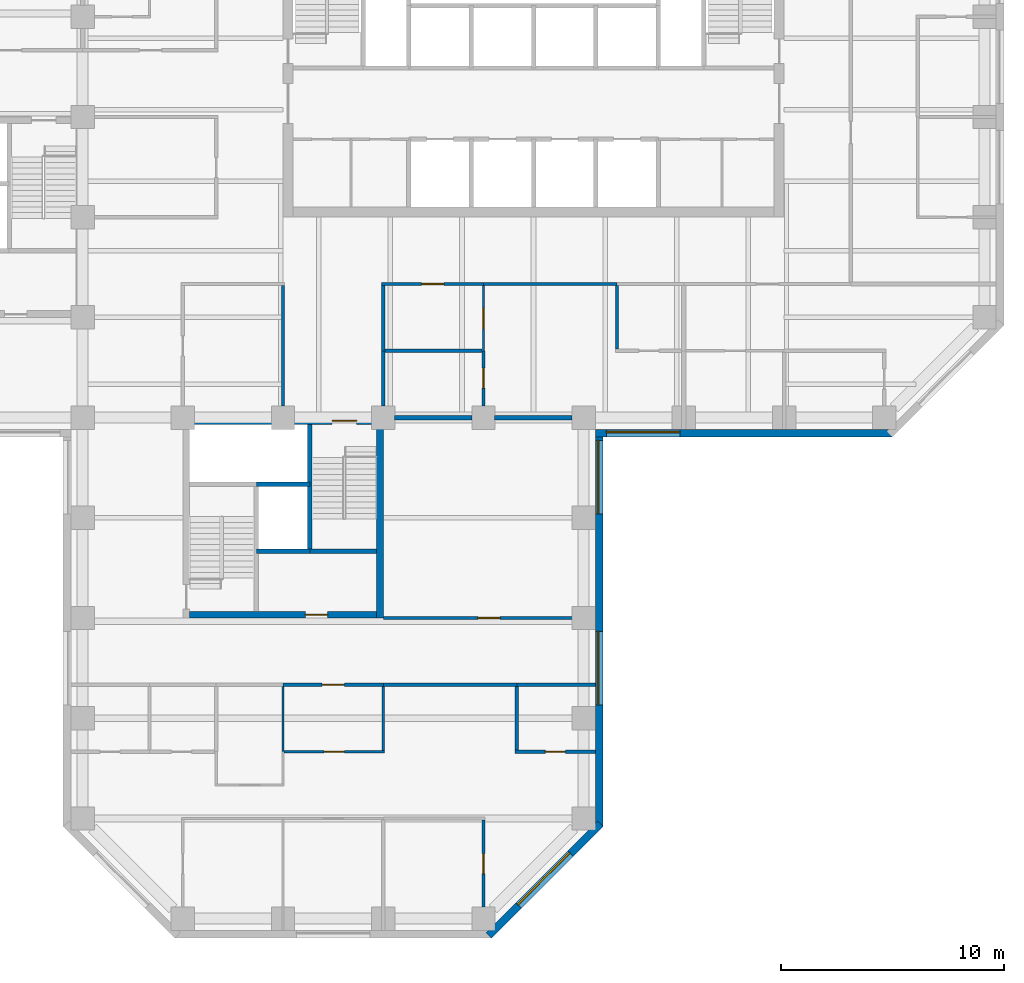
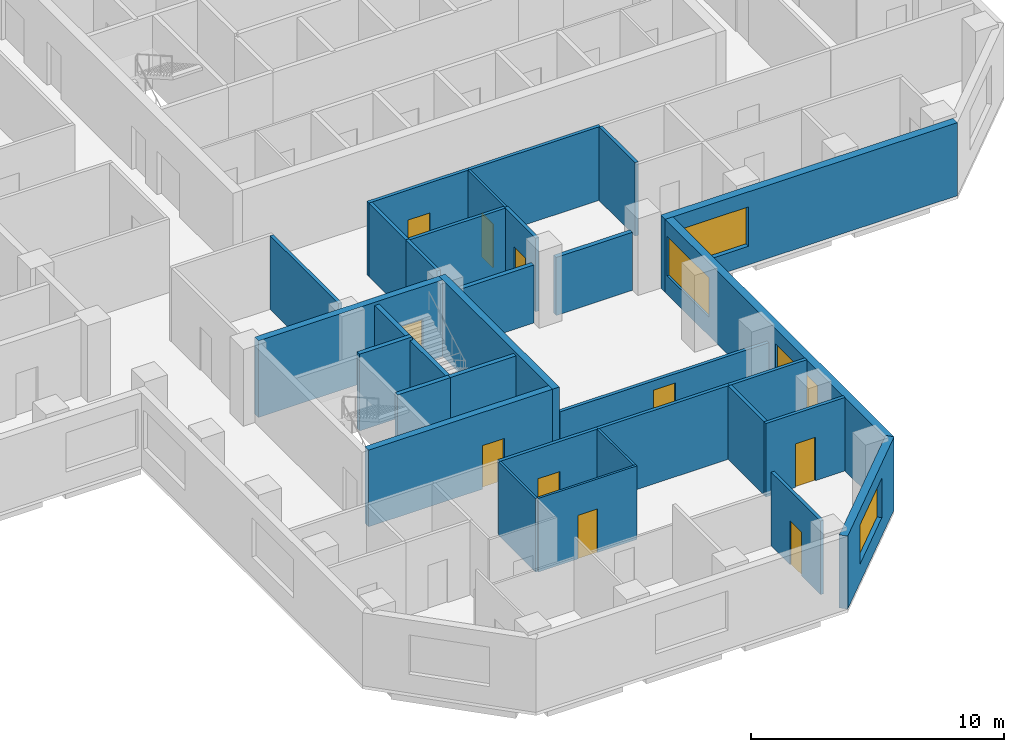
# One storey, part 4 of 11: 31 walls, 10 doors, 4 windows, 14 openings.
"""IFC4 building model written with IfcOpenShell, lengths in metres."""

from ifc_helpers import new_model, si_unit, direction, frame, frame_2d, origin, place, context, subcontext, project, spatial, rectangle, extrude, material, layer, layer_set, constituent, constituent_set, type_object, element, fill, save


model = new_model("IFC4")

# Units and contexts
model_context = context("Model", 3, precision=1e-05, world=origin(), true_north=direction((0.0, 1.0)))
body_context = subcontext(model_context, "Body", "Model", "MODEL_VIEW")
ifc_project = project(units=[si_unit("LENGTHUNIT", "METRE"), si_unit("AREAUNIT", "SQUARE_METRE"), si_unit("VOLUMEUNIT", "CUBIC_METRE"), si_unit("PLANEANGLEUNIT", "RADIAN"), si_unit("MASSUNIT", "GRAM", prefix="KILO")], contexts=[model_context])

# Site, building, storey
site_placement = place(None, origin())
site = spatial("IfcSite", under=ifc_project, at=site_placement, CompositionType="ELEMENT")
building_placement = place(site_placement, origin())
building = spatial("IfcBuilding", under=site, at=building_placement, Name="Quoin Convention Tower", CompositionType="ELEMENT")
storey_placement = place(building_placement, frame((0.0, 0.0, 130.699951171875)))
storey = spatial("IfcBuildingStorey", under=building, at=storey_placement, Name="L34", CompositionType="ELEMENT", Elevation=130.699951171875)

# Wall
ifc_material_1 = material(Name="Plasterboard")
ifc_layer_1 = layer(ifc_material_1, 0.012451171875, Name="Finish")
ifc_material_2 = material(Name="Steel stud framing", Category="steel")
ifc_layer_2 = layer(ifc_material_2, 0.125, Name="Structure")
ifc_layer_3 = layer(ifc_material_1, 0.012451171875, Name="Finish")
ifc_layer_set_1 = layer_set([ifc_layer_1, ifc_layer_2, ifc_layer_3], Name="Steel stud framing")
wall_type_1 = type_object("IfcWallType", Name="Acoustic partition 150", PredefinedType="PARTITIONING", material=ifc_layer_set_1)
wall_1_placement = place(storey_placement, frame((49.574951171875, 43.5, 0.0), z_axis=(0.0, 0.0, 1.0), x_axis=(1.0, 0.0, 0.0)))
element("IfcWall", 1, at=wall_1_placement, inside=storey, type_object=wall_type_1, Name="pw-L34-019", PredefinedType="PARTITIONING", context=body_context, shape_type="SweptSolid", body=[
    extrude(rectangle(XDim=4.35009765625, YDim=0.14990234375, at=frame_2d((2.175048828125, 0.0))), origin(), (0.0, 0.0, 1.0), 3.550048828125),
])

# Wall, opening, door
wall_2_placement = place(storey_placement, frame((54.0, 18.52490234375, 0.0), z_axis=(0.0, 0.0, 1.0), x_axis=(0.0, 1.0, 0.0)))
wall_2 = element("IfcWall", 2, at=wall_2_placement, inside=storey, type_object=wall_type_1, Name="pw-L34-061", PredefinedType="PARTITIONING", context=body_context, shape_type="SweptSolid", body=[
    extrude(rectangle(XDim=3.900146484375, YDim=0.14990234375, at=frame_2d((1.9501953125, 0.0))), origin(), (0.0, 0.0, 1.0), 3.550048828125),
])
opening_1_placement = place(wall_2_placement, frame((1.5, 0.0, 0.0)))
opening_1 = element("IfcOpeningElement", 3, at=opening_1_placement, cuts=wall_2, Name="Opening DOL7-26", PredefinedType="OPENING", context=body_context, shape_type="SweptSolid", body=[
    extrude(rectangle(XDim=0.89990234375, YDim=2.10009765625, at=frame_2d((0.449951171875, 1.050048828125))), frame((0.0, 0.0849609375, 0.0), z_axis=(0.0, -1.0, 0.0), x_axis=(1.0, 0.0, 0.0)), (0.0, 0.0, 1.0), 0.169921875),
])
ifc_material_3 = material(Name="Steel door leaf", Category="steel")
door_type_1 = type_object("IfcDoorType", Name="Office door 900 x 2100", OperationType="SINGLE_SWING_RIGHT", PredefinedType="DOOR", material=ifc_material_3)
door_1_placement = place(opening_1_placement, frame((0.89990234375, 0.0, 0.0), z_axis=(0.0, 0.0, 1.0), x_axis=(-1.0, 0.0, 0.0)))
door_1 = element("IfcDoor", 4, at=door_1_placement, inside=storey, type_object=door_type_1, Name="dr-L34-14", OperationType="SINGLE_SWING_LEFT", OverallHeight=2.10009765625, OverallWidth=0.89990234375, PredefinedType="DOOR", context=body_context, shape_type="SweptSolid", body=[
    extrude(rectangle(XDim=0.89990234375, YDim=2.10009765625, at=frame_2d((0.449951171875, 1.050048828125))), frame((0.0, 0.02490234375, 0.0), z_axis=(0.0, -1.0, 0.0), x_axis=(1.0, 0.0, 0.0)), (0.0, 0.0, 1.0), 0.050048828125),
])
fill(opening_1, door_1)

wall_3_placement = place(storey_placement, frame((54.0, 41.02490234375, 0.0), z_axis=(0.0, 0.0, 1.0), x_axis=(0.0, 1.0, 0.0)))
wall_3 = element("IfcWall", 5, at=wall_3_placement, inside=storey, type_object=wall_type_1, Name="pw-L34-076", PredefinedType="PARTITIONING", context=body_context, shape_type="SweptSolid", body=[
    extrude(rectangle(XDim=2.47509765625, YDim=0.14990234375, at=frame_2d((1.237548828125, 0.0))), origin(), (0.0, 0.0, 1.0), 3.550048828125),
])
opening_2_placement = place(wall_3_placement, frame((0.800048828125, 0.0, 0.0)))
opening_2 = element("IfcOpeningElement", 6, at=opening_2_placement, cuts=wall_3, Name="Opening DOL7-28", PredefinedType="OPENING", context=body_context, shape_type="SweptSolid", body=[
    extrude(rectangle(XDim=0.89990234375, YDim=2.10009765625, at=frame_2d((0.449951171875, 1.050048828125))), frame((0.0, 0.0849609375, 0.0), z_axis=(0.0, -1.0, 0.0), x_axis=(1.0, 0.0, 0.0)), (0.0, 0.0, 1.0), 0.169921875),
])
door_2_placement = place(opening_2_placement, frame((0.89990234375, 0.0, 0.0), z_axis=(0.0, 0.0, 1.0), x_axis=(-1.0, 0.0, 0.0)))
door_2 = element("IfcDoor", 7, at=door_2_placement, inside=storey, type_object=door_type_1, Name="dr-L34-21", OperationType="SINGLE_SWING_LEFT", OverallHeight=2.10009765625, OverallWidth=0.89990234375, PredefinedType="DOOR", context=body_context, shape_type="SweptSolid", body=[
    extrude(rectangle(XDim=0.89990234375, YDim=2.10009765625, at=frame_2d((0.449951171875, 1.050048828125))), frame((0.0, 0.02490234375, 0.0), z_axis=(0.0, -1.0, 0.0), x_axis=(1.0, 0.0, 0.0)), (0.0, 0.0, 1.0), 0.050048828125),
])
fill(opening_2, door_2)

# Wall, opening, window
ifc_material_4 = material(Name="Brick masonry", Category="masonry")
ifc_layer_4 = layer(ifc_material_4, 0.35009765625)
ifc_layer_set_2 = layer_set([ifc_layer_4], Name="Brick masonry")
wall_type_2 = type_object("IfcWallType", Name="Brick facade wall", PredefinedType="STANDARD", material=ifc_layer_set_2)
wall_4_placement = place(storey_placement, frame((59.02490234375, 39.800048828125, 0.0), z_axis=(0.0, 0.0, 1.0), x_axis=(1.0, 0.0, 0.0)))
wall_4 = element("IfcWall", 8, at=wall_4_placement, inside=storey, type_object=wall_type_2, Name="fw-L34-58500_40500", PredefinedType="STANDARD", context=body_context, shape_type="SweptSolid", body=[
    extrude(rectangle(XDim=13.33740234375, YDim=0.35009765625, at=frame_2d((6.668701171875, 0.0))), origin(), (0.0, 0.0, 1.0), 3.525146484375),
])
opening_3_placement = place(wall_4_placement, frame((0.5, 0.0, 0.89990234375)))
opening_3 = element("IfcOpeningElement", 9, at=opening_3_placement, cuts=wall_4, Name="Opening W-02", PredefinedType="OPENING", context=body_context, shape_type="SweptSolid", body=[
    extrude(rectangle(XDim=3.300048828125, YDim=1.89990234375, at=frame_2d((1.64990234375, 0.949951171875))), frame((0.0, 0.18505859375, 0.0), z_axis=(0.0, -1.0, 0.0), x_axis=(1.0, 0.0, 0.0)), (0.0, 0.0, 1.0), 0.3701171875),
])
ifc_material_5 = material(Name="Aluminium", Category="aluminium")
ifc_constituent_1 = constituent(ifc_material_5, Name="Frame")
ifc_material_6 = material(Name="Insulated glass", Category="glass")
ifc_constituent_2 = constituent(ifc_material_6, Name="Glazing")
ifc_constituent_set = constituent_set(constituents=[ifc_constituent_1, ifc_constituent_2], Name="Aluminium")
window_type = type_object("IfcWindowType", Name="Office window", PartitioningType="DOUBLE_PANEL_VERTICAL", PredefinedType="WINDOW", material=ifc_constituent_set)
window_1_placement = place(opening_3_placement, origin())
window_1 = element("IfcWindow", 10, at=window_1_placement, inside=storey, type_object=window_type, Name="win-L34-60750_39800", OverallHeight=1.89990234375, OverallWidth=3.300048828125, PartitioningType="SINGLE_PANEL", PredefinedType="WINDOW", context=body_context, shape_type="SweptSolid", body=[
    extrude(rectangle(XDim=3.300048828125, YDim=1.89990234375, at=frame_2d((1.64990234375, 0.949951171875))), frame((0.0, 0.0849609375, 0.0), z_axis=(0.0, -1.0, 0.0), x_axis=(1.0, 0.0, 0.0)), (0.0, 0.0, 1.0), 0.06005859375),
])
fill(opening_3, window_1)

wall_5_placement = place(storey_placement, frame((54.23876953125, 17.248779296875, 0.0), z_axis=(0.0, 0.0, 1.0), x_axis=(0.707106781187, 0.707106781187, 0.0)))
wall_5 = element("IfcWall", 11, at=wall_5_placement, inside=storey, type_object=wall_type_2, Name="fw-L34-54000_18000", PredefinedType="STANDARD", context=body_context, shape_type="SweptSolid", body=[
    extrude(rectangle(XDim=7.088623046875, YDim=0.35009765625, at=frame_2d((3.54443359375, 0.0))), origin(), (0.0, 0.0, 1.0), 3.525146484375),
])
opening_4_placement = place(wall_5_placement, frame((1.894287109375, 0.0, 0.89990234375)))
opening_4 = element("IfcOpeningElement", 12, at=opening_4_placement, cuts=wall_5, Name="Opening W-02", PredefinedType="OPENING", context=body_context, shape_type="SweptSolid", body=[
    extrude(rectangle(XDim=3.300048828125, YDim=1.89990234375, at=frame_2d((1.64990234375, 0.949951171875))), frame((0.0, 0.18505859375, 0.0), z_axis=(0.0, -1.0, 0.0), x_axis=(1.0, 0.0, 0.0)), (0.0, 0.0, 1.0), 0.3701171875),
])
window_2_placement = place(opening_4_placement, origin())
window_2 = element("IfcWindow", 13, at=window_2_placement, inside=storey, type_object=window_type, Name="win-L34-56745_19755", OverallHeight=1.89990234375, OverallWidth=3.300048828125, PartitioningType="SINGLE_PANEL", PredefinedType="WINDOW", context=body_context, shape_type="SweptSolid", body=[
    extrude(rectangle(XDim=3.300048828125, YDim=1.89990234375, at=frame_2d((1.64990234375, 0.949951171875))), frame((0.0, 0.0849609375, 0.0), z_axis=(0.0, -1.0, 0.0), x_axis=(1.0, 0.0, 0.0)), (0.0, 0.0, 1.0), 0.06005859375),
])
fill(opening_4, window_2)

# Wall, openings, windows
wall_6_placement = place(storey_placement, frame((59.199951171875, 22.1376953125, 0.0), z_axis=(0.0, 0.0, 1.0), x_axis=(0.0, 1.0, 0.0)))
wall_6 = element("IfcWall", 14, at=wall_6_placement, inside=storey, type_object=wall_type_2, Name="fw-L34-58500_22500", PredefinedType="STANDARD", context=body_context, shape_type="SweptSolid", body=[
    extrude(rectangle(XDim=17.83740234375, YDim=0.35009765625, at=frame_2d((8.918701171875, 0.0))), origin(), (0.0, 0.0, 1.0), 3.525146484375),
])
opening_5_placement = place(wall_6_placement, frame((5.46240234375, 0.0, 0.89990234375)))
opening_5 = element("IfcOpeningElement", 15, at=opening_5_placement, cuts=wall_6, Name="Opening W-02", PredefinedType="OPENING", context=body_context, shape_type="SweptSolid", body=[
    extrude(rectangle(XDim=3.300048828125, YDim=1.89990234375, at=frame_2d((1.64990234375, 0.949951171875))), frame((0.0, 0.18505859375, 0.0), z_axis=(0.0, -1.0, 0.0), x_axis=(1.0, 0.0, 0.0)), (0.0, 0.0, 1.0), 0.3701171875),
])
opening_6_placement = place(wall_6_placement, frame((14.037353515625, 0.0, 0.89990234375)))
opening_6 = element("IfcOpeningElement", 16, at=opening_6_placement, cuts=wall_6, Name="Opening W-02", PredefinedType="OPENING", context=body_context, shape_type="SweptSolid", body=[
    extrude(rectangle(XDim=3.300048828125, YDim=1.89990234375, at=frame_2d((1.64990234375, 0.949951171875))), frame((0.0, 0.18505859375, 0.0), z_axis=(0.0, -1.0, 0.0), x_axis=(1.0, 0.0, 0.0)), (0.0, 0.0, 1.0), 0.3701171875),
])
window_3_placement = place(opening_5_placement, origin())
window_3 = element("IfcWindow", 17, at=window_3_placement, inside=storey, type_object=window_type, Name="win-L34-59200_29250", OverallHeight=1.89990234375, OverallWidth=3.300048828125, PartitioningType="SINGLE_PANEL", PredefinedType="WINDOW", context=body_context, shape_type="SweptSolid", body=[
    extrude(rectangle(XDim=3.300048828125, YDim=1.89990234375, at=frame_2d((1.64990234375, 0.949951171875))), frame((0.0, 0.0849609375, 0.0), z_axis=(0.0, -1.0, 0.0), x_axis=(1.0, 0.0, 0.0)), (0.0, 0.0, 1.0), 0.06005859375),
])
fill(opening_5, window_3)
window_4_placement = place(opening_6_placement, origin())
window_4 = element("IfcWindow", 18, at=window_4_placement, inside=storey, type_object=window_type, Name="win-L34-59200_38250", OverallHeight=1.89990234375, OverallWidth=3.300048828125, PartitioningType="SINGLE_PANEL", PredefinedType="WINDOW", context=body_context, shape_type="SweptSolid", body=[
    extrude(rectangle(XDim=3.300048828125, YDim=1.89990234375, at=frame_2d((1.64990234375, 0.949951171875))), frame((0.0, 0.0849609375, 0.0), z_axis=(0.0, -1.0, 0.0), x_axis=(1.0, 0.0, 0.0)), (0.0, 0.0, 1.0), 0.06005859375),
])
fill(opening_6, window_4)

# Walls
ifc_material_7 = material(Name="Concrete C50", Category="concrete")
ifc_layer_5 = layer(ifc_material_7, 0.199951171875)
ifc_layer_set_3 = layer_set([ifc_layer_5], Name="Concrete C50")
wall_type_3 = type_object("IfcWallType", Name="Core shaft wall", PredefinedType="SOLIDWALL", material=ifc_layer_set_3)
wall_7_placement = place(storey_placement, frame((43.800048828125, 34.5, 0.0), z_axis=(0.0, 0.0, 1.0), x_axis=(1.0, 0.0, 0.0)))
element("IfcWall", 19, at=wall_7_placement, inside=storey, type_object=wall_type_3, Name="cr-P3-L34-h3000_3300", PredefinedType="SOLIDWALL", context=body_context, shape_type="SweptSolid", body=[
    extrude(rectangle(XDim=2.39990234375, YDim=0.199951171875, at=frame_2d((1.199951171875, 0.0))), origin(), (0.0, 0.0, 1.0), 3.550048828125),
])
wall_8_placement = place(storey_placement, frame((46.199951171875, 34.5, 0.0), z_axis=(0.0, 0.0, 1.0), x_axis=(1.0, 0.0, 0.0)))
element("IfcWall", 20, at=wall_8_placement, inside=storey, type_object=wall_type_3, Name="cr-P3-L34-h3000_5700", PredefinedType="SOLIDWALL", context=body_context, shape_type="SweptSolid", body=[
    extrude(rectangle(XDim=3.0, YDim=0.199951171875, at=frame_2d((1.5, 0.0))), origin(), (0.0, 0.0, 1.0), 3.550048828125),
])
wall_9_placement = place(storey_placement, frame((46.199951171875, 34.5, 0.0), z_axis=(0.0, 0.0, 1.0), x_axis=(0.0, 1.0, 0.0)))
element("IfcWall", 21, at=wall_9_placement, inside=storey, type_object=wall_type_3, Name="cr-P3-L34-v5700_3000", PredefinedType="SOLIDWALL", context=body_context, shape_type="SweptSolid", body=[
    extrude(rectangle(XDim=5.699951171875, YDim=0.199951171875, at=frame_2d((2.85009765625, 0.0))), origin(), (0.0, 0.0, 1.0), 3.550048828125),
])
ifc_layer_6 = layer(ifc_material_7, 0.199951171875)
ifc_layer_set_4 = layer_set([ifc_layer_6], Name="Concrete C50")
wall_type_4 = type_object("IfcWallType", Name="Core shaft wall to the floor level over", PredefinedType="SOLIDWALL", material=ifc_layer_set_4)
wall_10_placement = place(storey_placement, frame((43.800048828125, 37.5, 0.0), z_axis=(0.0, 0.0, 1.0), x_axis=(1.0, 0.0, 0.0)))
element("IfcWall", 22, at=wall_10_placement, inside=storey, type_object=wall_type_4, Name="cr-P3-L34-h6000_3300", PredefinedType="SOLIDWALL", context=body_context, shape_type="SweptSolid", body=[
    extrude(rectangle(XDim=2.39990234375, YDim=0.199951171875, at=frame_2d((1.199951171875, 0.0))), origin(), (0.0, 0.0, 1.0), 3.699951171875),
])

# Wall, opening, door
ifc_layer_7 = layer(ifc_material_1, 0.012451171875, Name="Finish")
ifc_layer_8 = layer(ifc_material_2, 0.125, Name="Structure")
ifc_layer_9 = layer(ifc_material_1, 0.012451171875, Name="Finish")
ifc_layer_set_5 = layer_set([ifc_layer_7, ifc_layer_8, ifc_layer_9], Name="Steel stud framing")
wall_type_5 = type_object("IfcWallType", Name="Corridor wall 150", PredefinedType="PARTITIONING", material=ifc_layer_set_5)
wall_11_placement = place(storey_placement, frame((45.0, 28.5, 0.0), z_axis=(0.0, 0.0, 1.0), x_axis=(1.0, 0.0, 0.0)))
wall_11 = element("IfcWall", 23, at=wall_11_placement, inside=storey, type_object=wall_type_5, Name="pw-L34-012", PredefinedType="PARTITIONING", context=body_context, shape_type="SweptSolid", body=[
    extrude(rectangle(XDim=4.5, YDim=0.14990234375, at=frame_2d((2.25, 0.0))), origin(), (0.0, 0.0, 1.0), 3.550048828125),
])
opening_7_placement = place(wall_11_placement, frame((1.75, 0.0, 0.0)))
opening_7 = element("IfcOpeningElement", 24, at=opening_7_placement, cuts=wall_11, Name="Opening DOL7-07", PredefinedType="OPENING", context=body_context, shape_type="SweptSolid", body=[
    extrude(rectangle(XDim=1.0, YDim=2.10009765625, at=frame_2d((0.5, 1.050048828125))), frame((0.0, 0.0849609375, 0.0), z_axis=(0.0, -1.0, 0.0), x_axis=(1.0, 0.0, 0.0)), (0.0, 0.0, 1.0), 0.169921875),
])
door_type_2 = type_object("IfcDoorType", Name="Tenancy entrance door 1000 x 2100", OperationType="DOUBLE_DOOR_SINGLE_SWING", PredefinedType="DOOR", material=ifc_material_3)
door_3_placement = place(opening_7_placement, frame((1.0, 0.0, 0.0), z_axis=(0.0, 0.0, 1.0), x_axis=(-1.0, 0.0, 0.0)))
door_3 = element("IfcDoor", 25, at=door_3_placement, inside=storey, type_object=door_type_2, Name="dr-L34-08", OperationType="DOUBLE_DOOR_SINGLE_SWING", OverallHeight=2.10009765625, OverallWidth=1.0, PredefinedType="DOOR", context=body_context, shape_type="SweptSolid", body=[
    extrude(rectangle(XDim=1.0, YDim=2.10009765625, at=frame_2d((0.5, 1.050048828125))), frame((0.0, 0.02490234375, 0.0), z_axis=(0.0, -1.0, 0.0), x_axis=(1.0, 0.0, 0.0)), (0.0, 0.0, 1.0), 0.050048828125),
])
fill(opening_7, door_3)

# Walls
wall_12_placement = place(storey_placement, frame((49.5, 28.5, 0.0), z_axis=(0.0, 0.0, 1.0), x_axis=(1.0, 0.0, 0.0)))
element("IfcWall", 26, at=wall_12_placement, inside=storey, type_object=wall_type_5, Name="pw-L34-013", PredefinedType="PARTITIONING", context=body_context, shape_type="SweptSolid", body=[
    extrude(rectangle(XDim=6.0, YDim=0.14990234375, at=frame_2d((3.0, 0.0))), origin(), (0.0, 0.0, 1.0), 3.550048828125),
])
wall_13_placement = place(storey_placement, frame((55.5, 28.5, 0.0), z_axis=(0.0, 0.0, 1.0), x_axis=(1.0, 0.0, 0.0)))
element("IfcWall", 27, at=wall_13_placement, inside=storey, type_object=wall_type_5, Name="pw-L34-014", PredefinedType="PARTITIONING", context=body_context, shape_type="SweptSolid", body=[
    extrude(rectangle(XDim=3.52490234375, YDim=0.14990234375, at=frame_2d((1.762451171875, 0.0))), origin(), (0.0, 0.0, 1.0), 3.550048828125),
])

# Wall, opening, door
wall_14_placement = place(storey_placement, frame((49.425048828125, 46.5, 0.0), z_axis=(0.0, 0.0, 1.0), x_axis=(1.0, 0.0, 0.0)))
wall_14 = element("IfcWall", 28, at=wall_14_placement, inside=storey, type_object=wall_type_5, Name="pw-L34-024", PredefinedType="PARTITIONING", context=body_context, shape_type="SweptSolid", body=[
    extrude(rectangle(XDim=4.574951171875, YDim=0.14990234375, at=frame_2d((2.28759765625, 0.0))), origin(), (0.0, 0.0, 1.0), 3.550048828125),
])
opening_8_placement = place(wall_14_placement, frame((1.800048828125, 0.0, 0.0)))
opening_8 = element("IfcOpeningElement", 29, at=opening_8_placement, cuts=wall_14, Name="Opening DOL7-11", PredefinedType="OPENING", context=body_context, shape_type="SweptSolid", body=[
    extrude(rectangle(XDim=1.0, YDim=2.10009765625, at=frame_2d((0.5, 1.050048828125))), frame((0.0, 0.0849609375, 0.0), z_axis=(0.0, -1.0, 0.0), x_axis=(1.0, 0.0, 0.0)), (0.0, 0.0, 1.0), 0.169921875),
])
door_4_placement = place(opening_8_placement, origin())
door_4 = element("IfcDoor", 30, at=door_4_placement, inside=storey, type_object=door_type_2, Name="dr-L34-18", OperationType="DOUBLE_DOOR_SINGLE_SWING", OverallHeight=2.10009765625, OverallWidth=1.0, PredefinedType="DOOR", context=body_context, shape_type="SweptSolid", body=[
    extrude(rectangle(XDim=1.0, YDim=2.10009765625, at=frame_2d((0.5, 1.050048828125))), frame((0.0, 0.02490234375, 0.0), z_axis=(0.0, -1.0, 0.0), x_axis=(1.0, 0.0, 0.0)), (0.0, 0.0, 1.0), 0.050048828125),
])
fill(opening_8, door_4)

# Walls
wall_15_placement = place(storey_placement, frame((54.0, 46.5, 0.0), z_axis=(0.0, 0.0, 1.0), x_axis=(1.0, 0.0, 0.0)))
element("IfcWall", 31, at=wall_15_placement, inside=storey, type_object=wall_type_5, Name="pw-L34-025", PredefinedType="PARTITIONING", context=body_context, shape_type="SweptSolid", body=[
    extrude(rectangle(XDim=6.0, YDim=0.14990234375, at=frame_2d((3.0, 0.0))), origin(), (0.0, 0.0, 1.0), 3.550048828125),
])
wall_16_placement = place(storey_placement, frame((45.0, 41.02490234375, 0.0), z_axis=(0.0, 0.0, 1.0), x_axis=(0.0, 1.0, 0.0)))
element("IfcWall", 32, at=wall_16_placement, inside=storey, type_object=wall_type_5, Name="pw-L34-074", PredefinedType="PARTITIONING", context=body_context, shape_type="SweptSolid", body=[
    extrude(rectangle(XDim=5.400146484375, YDim=0.14990234375, at=frame_2d((2.7001953125, 0.0))), origin(), (0.0, 0.0, 1.0), 3.550048828125),
])
wall_17_placement = place(storey_placement, frame((49.5, 41.02490234375, 0.0), z_axis=(0.0, 0.0, 1.0), x_axis=(0.0, 1.0, 0.0)))
element("IfcWall", 33, at=wall_17_placement, inside=storey, type_object=wall_type_5, Name="pw-L34-075", PredefinedType="PARTITIONING", context=body_context, shape_type="SweptSolid", body=[
    extrude(rectangle(XDim=2.47509765625, YDim=0.14990234375, at=frame_2d((1.237548828125, 0.0))), origin(), (0.0, 0.0, 1.0), 3.550048828125),
])
wall_18_placement = place(storey_placement, frame((49.5, 43.5, 0.0), z_axis=(0.0, 0.0, 1.0), x_axis=(0.0, 1.0, 0.0)))
element("IfcWall", 34, at=wall_18_placement, inside=storey, type_object=wall_type_5, Name="pw-L34-079", PredefinedType="PARTITIONING", context=body_context, shape_type="SweptSolid", body=[
    extrude(rectangle(XDim=2.925048828125, YDim=0.14990234375, at=frame_2d((1.46240234375, 0.0))), origin(), (0.0, 0.0, 1.0), 3.550048828125),
])

# Wall, opening, door
ifc_layer_10 = layer(ifc_material_1, 0.012451171875, Name="Finish")
ifc_layer_11 = layer(ifc_material_2, 0.125, Name="Structure")
ifc_layer_12 = layer(ifc_material_1, 0.012451171875, Name="Finish")
ifc_layer_set_6 = layer_set([ifc_layer_10, ifc_layer_11, ifc_layer_12], Name="Steel stud framing")
wall_type_6 = type_object("IfcWallType", Name="Corridor wall 150 under beam 1000", PredefinedType="PARTITIONING", material=ifc_layer_set_6)
wall_19_placement = place(storey_placement, frame((49.5, 31.5, 0.0), z_axis=(0.0, 0.0, 1.0), x_axis=(1.0, 0.0, 0.0)))
wall_19 = element("IfcWall", 35, at=wall_19_placement, inside=storey, type_object=wall_type_6, Name="pw-L34-015", PredefinedType="PARTITIONING", context=body_context, shape_type="SweptSolid", body=[
    extrude(rectangle(XDim=9.52490234375, YDim=0.14990234375, at=frame_2d((4.762451171875, 0.0))), origin(), (0.0, 0.0, 1.0), 2.550048828125),
])
opening_9_placement = place(wall_19_placement, frame((4.25, 0.0, 0.0)))
opening_9 = element("IfcOpeningElement", 36, at=opening_9_placement, cuts=wall_19, Name="Opening DOL7-08", PredefinedType="OPENING", context=body_context, shape_type="SweptSolid", body=[
    extrude(rectangle(XDim=1.0, YDim=2.10009765625, at=frame_2d((0.5, 1.050048828125))), frame((0.0, 0.0849609375, 0.0), z_axis=(0.0, -1.0, 0.0), x_axis=(1.0, 0.0, 0.0)), (0.0, 0.0, 1.0), 0.169921875),
])
door_5_placement = place(opening_9_placement, origin())
door_5 = element("IfcDoor", 37, at=door_5_placement, inside=storey, type_object=door_type_2, Name="dr-L34-17", OperationType="DOUBLE_DOOR_SINGLE_SWING", OverallHeight=2.10009765625, OverallWidth=1.0, PredefinedType="DOOR", context=body_context, shape_type="SweptSolid", body=[
    extrude(rectangle(XDim=1.0, YDim=2.10009765625, at=frame_2d((0.5, 1.050048828125))), frame((0.0, 0.02490234375, 0.0), z_axis=(0.0, -1.0, 0.0), x_axis=(1.0, 0.0, 0.0)), (0.0, 0.0, 1.0), 0.050048828125),
])
fill(opening_9, door_5)

ifc_material_8 = material(Name="Concrete C65", Category="concrete")
ifc_layer_13 = layer(ifc_material_8, 0.300048828125)
ifc_layer_set_7 = layer_set([ifc_layer_13], Name="Concrete C65")
wall_type_7 = type_object("IfcWallType", Name="RC CORE WALL 300 C65", PredefinedType="SHEAR", material=ifc_layer_set_7)
wall_20_placement = place(storey_placement, frame((40.800048828125, 31.64990234375, 0.0), z_axis=(0.0, 0.0, 1.0), x_axis=(1.0, 0.0, 0.0)))
wall_20 = element("IfcWall", 38, at=wall_20_placement, inside=storey, type_object=wall_type_7, Name="cwl-P3-L34-S", PredefinedType="SHEAR", context=body_context, shape_type="SweptSolid", body=[
    extrude(rectangle(XDim=8.39990234375, YDim=0.300048828125, at=frame_2d((4.199951171875, 0.0))), origin(), (0.0, 0.0, 1.0), 3.699951171875),
])
opening_10_placement = place(wall_20_placement, frame((5.199951171875, 0.0, 0.0)))
opening_10 = element("IfcOpeningElement", 39, at=opening_10_placement, cuts=wall_20, Name="Opening DCV0-61", PredefinedType="OPENING", context=body_context, shape_type="SweptSolid", body=[
    extrude(rectangle(XDim=1.0, YDim=2.10009765625, at=frame_2d((0.5, 1.050048828125))), frame((0.0, 0.159912109375, 0.0), z_axis=(0.0, -1.0, 0.0), x_axis=(1.0, 0.0, 0.0)), (0.0, 0.0, 1.0), 0.320068359375),
])
door_type_3 = type_object("IfcDoorType", Name="Service door 1000 x 2100", OperationType="SINGLE_SWING_LEFT", PredefinedType="DOOR", material=ifc_material_3)
door_6_placement = place(opening_10_placement, origin())
door_6 = element("IfcDoor", 40, at=door_6_placement, inside=storey, type_object=door_type_3, Name="cd-P3-L34-R2-S", OperationType="SINGLE_SWING_LEFT", OverallHeight=2.10009765625, OverallWidth=1.0, PredefinedType="DOOR", context=body_context, shape_type="SweptSolid", body=[
    extrude(rectangle(XDim=1.0, YDim=2.10009765625, at=frame_2d((0.5, 1.050048828125))), frame((0.0, 0.02490234375, 0.0), z_axis=(0.0, -1.0, 0.0), x_axis=(1.0, 0.0, 0.0)), (0.0, 0.0, 1.0), 0.050048828125),
])
fill(opening_10, door_6)

wall_21_placement = place(storey_placement, frame((40.800048828125, 40.35009765625, 0.0), z_axis=(0.0, 0.0, 1.0), x_axis=(1.0, 0.0, 0.0)))
wall_21 = element("IfcWall", 41, at=wall_21_placement, inside=storey, type_object=wall_type_7, Name="cwl-P3-L34-N", PredefinedType="SHEAR", context=body_context, shape_type="SweptSolid", body=[
    extrude(rectangle(XDim=8.39990234375, YDim=0.300048828125, at=frame_2d((4.199951171875, 0.0))), origin(), (0.0, 0.0, 1.0), 3.699951171875),
])
opening_11_placement = place(wall_21_placement, frame((6.39990234375, 0.0, 0.0)))
opening_11 = element("IfcOpeningElement", 42, at=opening_11_placement, cuts=wall_21, Name="Opening SD6", PredefinedType="OPENING", context=body_context, shape_type="SweptSolid", body=[
    extrude(rectangle(XDim=1.10009765625, YDim=2.10009765625, at=frame_2d((0.550048828125, 1.050048828125))), frame((0.0, 0.159912109375, 0.0), z_axis=(0.0, -1.0, 0.0), x_axis=(1.0, 0.0, 0.0)), (0.0, 0.0, 1.0), 0.320068359375),
])
door_type_4 = type_object("IfcDoorType", Name="Stair door 1100 x 2100", OperationType="SINGLE_SWING_RIGHT", PredefinedType="DOOR", material=ifc_material_3)
door_7_placement = place(opening_11_placement, frame((1.10009765625, 0.0, 0.0), z_axis=(0.0, 0.0, 1.0), x_axis=(-1.0, 0.0, 0.0)))
door_7 = element("IfcDoor", 43, at=door_7_placement, inside=storey, type_object=door_type_4, Name="cd-P3-L34-SB-N", OperationType="SINGLE_SWING_LEFT", OverallHeight=2.10009765625, OverallWidth=1.10009765625, PredefinedType="DOOR", context=body_context, shape_type="SweptSolid", body=[
    extrude(rectangle(XDim=1.10009765625, YDim=2.10009765625, at=frame_2d((0.550048828125, 1.050048828125))), frame((0.0, 0.02490234375, 0.0), z_axis=(0.0, -1.0, 0.0), x_axis=(1.0, 0.0, 0.0)), (0.0, 0.0, 1.0), 0.050048828125),
])
fill(opening_11, door_7)

# Wall
wall_22_placement = place(storey_placement, frame((49.35009765625, 31.5, 0.0), z_axis=(0.0, 0.0, 1.0), x_axis=(0.0, 1.0, 0.0)))
element("IfcWall", 44, at=wall_22_placement, inside=storey, type_object=wall_type_7, Name="cwl-P3-L34-E", PredefinedType="SHEAR", context=body_context, shape_type="SweptSolid", body=[
    extrude(rectangle(XDim=9.0, YDim=0.300048828125, at=frame_2d((4.5, 0.0))), origin(), (0.0, 0.0, 1.0), 3.699951171875),
])

# Wall, opening, door
ifc_layer_14 = layer(ifc_material_1, 0.012451171875, Name="Finish")
ifc_layer_15 = layer(ifc_material_2, 0.074951171875, Name="Structure")
ifc_layer_16 = layer(ifc_material_1, 0.012451171875, Name="Finish")
ifc_layer_set_8 = layer_set([ifc_layer_14, ifc_layer_15, ifc_layer_16], Name="Steel stud framing")
wall_type_8 = type_object("IfcWallType", Name="Stud partition 100", PredefinedType="PARTITIONING", material=ifc_layer_set_8)
wall_23_placement = place(storey_placement, frame((45.050048828125, 25.5, 0.0), z_axis=(0.0, 0.0, 1.0), x_axis=(1.0, 0.0, 0.0)))
wall_23 = element("IfcWall", 45, at=wall_23_placement, inside=storey, type_object=wall_type_8, Name="pw-L34-007", PredefinedType="PARTITIONING", context=body_context, shape_type="SweptSolid", body=[
    extrude(rectangle(XDim=4.5, YDim=0.10009765625, at=frame_2d((2.25, 0.0))), origin(), (0.0, 0.0, 1.0), 3.550048828125),
])
opening_12_placement = place(wall_23_placement, frame((1.800048828125, 0.0, 0.0)))
opening_12 = element("IfcOpeningElement", 46, at=opening_12_placement, cuts=wall_23, Name="Opening DOL7-05", PredefinedType="OPENING", context=body_context, shape_type="SweptSolid", body=[
    extrude(rectangle(XDim=0.89990234375, YDim=2.10009765625, at=frame_2d((0.449951171875, 1.050048828125))), frame((0.0, 0.06005859375, 0.0), z_axis=(0.0, -1.0, 0.0), x_axis=(1.0, 0.0, 0.0)), (0.0, 0.0, 1.0), 0.1201171875),
])
door_8_placement = place(opening_12_placement, frame((0.89990234375, 0.0, 0.0), z_axis=(0.0, 0.0, 1.0), x_axis=(-1.0, 0.0, 0.0)))
door_8 = element("IfcDoor", 47, at=door_8_placement, inside=storey, type_object=door_type_1, Name="dr-L34-09", OperationType="SINGLE_SWING_LEFT", OverallHeight=2.10009765625, OverallWidth=0.89990234375, PredefinedType="DOOR", context=body_context, shape_type="SweptSolid", body=[
    extrude(rectangle(XDim=0.89990234375, YDim=2.10009765625, at=frame_2d((0.449951171875, 1.050048828125))), frame((0.0, 0.02490234375, 0.0), z_axis=(0.0, -1.0, 0.0), x_axis=(1.0, 0.0, 0.0)), (0.0, 0.0, 1.0), 0.050048828125),
])
fill(opening_12, door_8)

# Walls
wall_24_placement = place(storey_placement, frame((45.0, 25.5, 0.0), z_axis=(0.0, 0.0, 1.0), x_axis=(0.0, 1.0, 0.0)))
element("IfcWall", 48, at=wall_24_placement, inside=storey, type_object=wall_type_8, Name="pw-L34-065", PredefinedType="PARTITIONING", context=body_context, shape_type="SweptSolid", body=[
    extrude(rectangle(XDim=2.925048828125, YDim=0.10009765625, at=frame_2d((1.46240234375, 0.0))), origin(), (0.0, 0.0, 1.0), 3.550048828125),
])
wall_25_placement = place(storey_placement, frame((49.5, 25.550048828125, 0.0), z_axis=(0.0, 0.0, 1.0), x_axis=(0.0, 1.0, 0.0)))
element("IfcWall", 49, at=wall_25_placement, inside=storey, type_object=wall_type_8, Name="pw-L34-066", PredefinedType="PARTITIONING", context=body_context, shape_type="SweptSolid", body=[
    extrude(rectangle(XDim=2.875, YDim=0.10009765625, at=frame_2d((1.4375, 0.0))), origin(), (0.0, 0.0, 1.0), 3.550048828125),
])

# Wall, opening, door
wall_26_placement = place(storey_placement, frame((54.0, 43.5, 0.0), z_axis=(0.0, 0.0, 1.0), x_axis=(0.0, 1.0, 0.0)))
wall_26 = element("IfcWall", 50, at=wall_26_placement, inside=storey, type_object=wall_type_8, Name="pw-L34-080", PredefinedType="PARTITIONING", context=body_context, shape_type="SweptSolid", body=[
    extrude(rectangle(XDim=2.925048828125, YDim=0.10009765625, at=frame_2d((1.46240234375, 0.0))), origin(), (0.0, 0.0, 1.0), 3.550048828125),
])
opening_13_placement = place(wall_26_placement, frame((1.0, 0.0, 0.0)))
opening_13 = element("IfcOpeningElement", 51, at=opening_13_placement, cuts=wall_26, Name="Opening DOL7-30", PredefinedType="OPENING", context=body_context, shape_type="SweptSolid", body=[
    extrude(rectangle(XDim=0.89990234375, YDim=2.10009765625, at=frame_2d((0.449951171875, 1.050048828125))), frame((0.0, 0.06005859375, 0.0), z_axis=(0.0, -1.0, 0.0), x_axis=(1.0, 0.0, 0.0)), (0.0, 0.0, 1.0), 0.1201171875),
])
door_9_placement = place(opening_13_placement, frame((0.89990234375, 0.0, 0.0), z_axis=(0.0, 0.0, 1.0), x_axis=(-1.0, 0.0, 0.0)))
door_9 = element("IfcDoor", 52, at=door_9_placement, inside=storey, type_object=door_type_1, Name="dr-L34-19", OperationType="SINGLE_SWING_LEFT", OverallHeight=2.10009765625, OverallWidth=0.89990234375, PredefinedType="DOOR", context=body_context, shape_type="SweptSolid", body=[
    extrude(rectangle(XDim=0.89990234375, YDim=2.10009765625, at=frame_2d((0.449951171875, 1.050048828125))), frame((0.0, 0.02490234375, 0.0), z_axis=(0.0, -1.0, 0.0), x_axis=(1.0, 0.0, 0.0)), (0.0, 0.0, 1.0), 0.050048828125),
])
fill(opening_13, door_9)

# Walls
ifc_layer_17 = layer(ifc_material_1, 0.012451171875, Name="Finish")
ifc_layer_18 = layer(ifc_material_2, 0.175048828125, Name="Structure")
ifc_layer_19 = layer(ifc_material_1, 0.012451171875, Name="Finish")
ifc_layer_set_9 = layer_set([ifc_layer_17, ifc_layer_18, ifc_layer_19], Name="Steel stud framing")
wall_type_9 = type_object("IfcWallType", Name="Tenancy demising wall 200 under beam 750", PredefinedType="PARTITIONING", material=ifc_layer_set_9)
wall_27_placement = place(storey_placement, frame((50.014892578125, 40.5, 0.0), z_axis=(0.0, 0.0, 1.0), x_axis=(1.0, 0.0, 0.0)))
element("IfcWall", 53, at=wall_27_placement, inside=storey, type_object=wall_type_9, Name="pw-L34-016", PredefinedType="PARTITIONING", context=body_context, shape_type="SweptSolid", body=[
    extrude(rectangle(XDim=3.460205078125, YDim=0.199951171875, at=frame_2d((1.72998046875, 0.0))), origin(), (0.0, 0.0, 1.0), 2.800048828125),
])
wall_28_placement = place(storey_placement, frame((54.4951171875, 40.5, 0.0), z_axis=(0.0, 0.0, 1.0), x_axis=(1.0, 0.0, 0.0)))
element("IfcWall", 54, at=wall_28_placement, inside=storey, type_object=wall_type_9, Name="pw-L34-017", PredefinedType="PARTITIONING", context=body_context, shape_type="SweptSolid", body=[
    extrude(rectangle(XDim=3.47998046875, YDim=0.199951171875, at=frame_2d((1.739990234375, 0.0))), origin(), (0.0, 0.0, 1.0), 2.800048828125),
])

# Wall, opening, door
ifc_layer_20 = layer(ifc_material_1, 0.012451171875, Name="Finish")
ifc_layer_21 = layer(ifc_material_2, 0.125, Name="Structure")
ifc_layer_22 = layer(ifc_material_1, 0.012451171875, Name="Finish")
ifc_layer_set_10 = layer_set([ifc_layer_20, ifc_layer_21, ifc_layer_22], Name="Steel stud framing")
wall_type_10 = type_object("IfcWallType", Name="Wet area partition 150", PredefinedType="PARTITIONING", material=ifc_layer_set_10)
wall_29_placement = place(storey_placement, frame((55.425048828125, 25.5, 0.0), z_axis=(0.0, 0.0, 1.0), x_axis=(1.0, 0.0, 0.0)))
wall_29 = element("IfcWall", 55, at=wall_29_placement, inside=storey, type_object=wall_type_10, Name="pw-L34-008", PredefinedType="PARTITIONING", context=body_context, shape_type="SweptSolid", body=[
    extrude(rectangle(XDim=3.599853515625, YDim=0.14990234375, at=frame_2d((1.7998046875, 0.0))), origin(), (0.0, 0.0, 1.0), 3.550048828125),
])
opening_14_placement = place(wall_29_placement, frame((1.35009765625, 0.0, 0.0)))
opening_14 = element("IfcOpeningElement", 56, at=opening_14_placement, cuts=wall_29, Name="Opening DOL7-06", PredefinedType="OPENING", context=body_context, shape_type="SweptSolid", body=[
    extrude(rectangle(XDim=0.89990234375, YDim=2.10009765625, at=frame_2d((0.449951171875, 1.050048828125))), frame((0.0, 0.0849609375, 0.0), z_axis=(0.0, -1.0, 0.0), x_axis=(1.0, 0.0, 0.0)), (0.0, 0.0, 1.0), 0.169921875),
])
door_10_placement = place(opening_14_placement, frame((0.89990234375, 0.0, 0.0), z_axis=(0.0, 0.0, 1.0), x_axis=(-1.0, 0.0, 0.0)))
door_10 = element("IfcDoor", 57, at=door_10_placement, inside=storey, type_object=door_type_1, Name="dr-L34-13", OperationType="SINGLE_SWING_LEFT", OverallHeight=2.10009765625, OverallWidth=0.89990234375, PredefinedType="DOOR", context=body_context, shape_type="SweptSolid", body=[
    extrude(rectangle(XDim=0.89990234375, YDim=2.10009765625, at=frame_2d((0.449951171875, 1.050048828125))), frame((0.0, 0.02490234375, 0.0), z_axis=(0.0, -1.0, 0.0), x_axis=(1.0, 0.0, 0.0)), (0.0, 0.0, 1.0), 0.050048828125),
])
fill(opening_14, door_10)

# Walls
for number, where, z_axis, x_axis, name in (
    (58, (55.5, 25.574951171875, 0.0), (0.0, 0.0, 1.0), (0.0, 1.0, 0.0), "pw-L34-068"),
    (59, (60.0, 43.574951171875, 0.0), (0.0, 0.0, 1.0), (0.0, 1.0, 0.0), "pw-L34-082"),
):
    element("IfcWall", number, at=place(storey_placement, frame(where, z_axis=z_axis, x_axis=x_axis)), inside=storey, type_object=wall_type_10, Name=name, PredefinedType="PARTITIONING", context=body_context, shape_type="SweptSolid", body=[
        extrude(rectangle(XDim=2.85009765625, YDim=0.14990234375, at=frame_2d((1.425048828125, 0.0))), origin(), (0.0, 0.0, 1.0), 3.550048828125),
    ])

save(model, "model.ifc")
